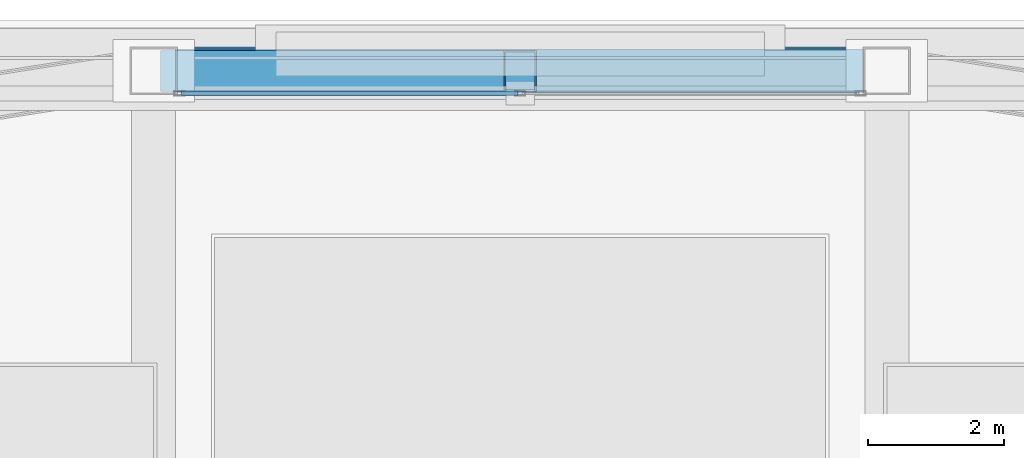
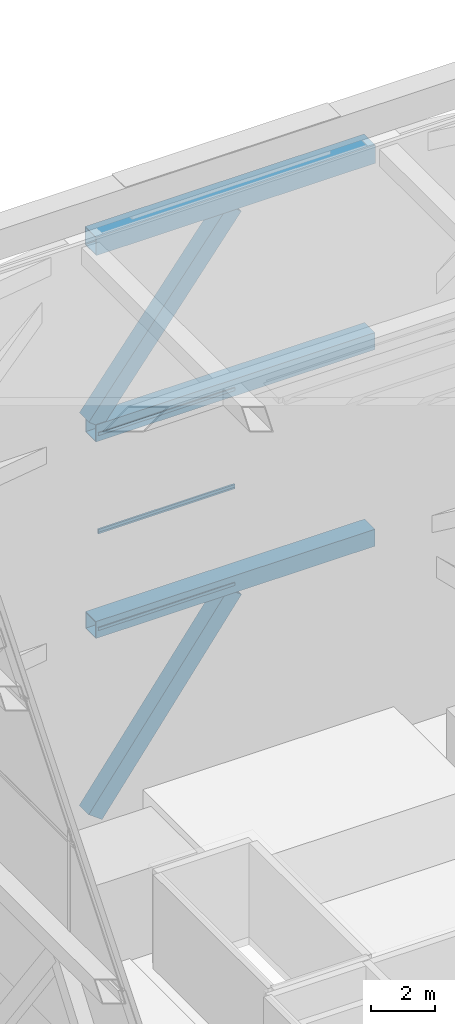
# One storey, part 18 of 28: 6 members, 3 beams, 2 elements without a shape of their own.
"""IFC4 building model written with IfcOpenShell, lengths in metres."""

import ifcopenshell
import ifcopenshell.guid

model = None  # the IFC model being written
_history = None  # IfcOwnerHistory: only IFC2X3 demands one
_inside = {}  # id of a spatial element -> (the spatial element, [elements in it])
_under = {}  # id of a project, library or spatial element -> (it, [spatial elements below it])
_declared = {}  # id of a project -> (the project, [libraries it declares])
_typed = {}  # id of a type object -> (the type object, [elements of that type])
_made_of = {}  # id of a material, layer set ... -> (it, [elements and type objects made of it])


def new_model(schema):
    """Start an empty IFC model of exactly this schema.

    Asked for "IFC4X3", IfcOpenShell would pick the latest addendum, in which some entities
    have other attributes; the version numbers below select the first issue.
    IFC2X3 requires an IfcOwnerHistory on every rooted entity: one is made here for all.
    """
    global model, _history
    if schema == "IFC4X3":
        model = ifcopenshell.file(schema_version=(4, 3, 0, 0))
    else:
        model = ifcopenshell.file(schema=schema)
    _inside.clear()
    _under.clear()
    _declared.clear()
    _typed.clear()
    _made_of.clear()
    _history = None
    if model.schema == "IFC2X3":
        org = make("IfcOrganization", Name="unknown")
        user = make(
            "IfcPersonAndOrganization",
            ThePerson=make("IfcPerson", FamilyName="unknown"),
            TheOrganization=org,
        )
        app = make(
            "IfcApplication",
            ApplicationDeveloper=org,
            Version="unknown",
            ApplicationFullName="unknown",
            ApplicationIdentifier="unknown",
        )
        _history = make(
            "IfcOwnerHistory",
            OwningUser=user,
            OwningApplication=app,
            ChangeAction="ADDED",
            CreationDate=0,
        )
    return model


def make(cls, **values):
    """One entity of the class cls with the attributes given. An attribute that is None is left unset."""
    return model.create_entity(
        cls, **{name: value for name, value in values.items() if value is not None}
    )


def rooted(cls, **values):
    """An entity with a GlobalId (a new one), such as an element, a storey or a relation."""
    return make(cls, GlobalId=ifcopenshell.guid.new(), OwnerHistory=_history, **values)


def si_unit(unit_type, name, prefix=None):
    """IfcSIUnit, for example si_unit("LENGTHUNIT", "METRE", prefix="MILLI")."""
    return make("IfcSIUnit", UnitType=unit_type, Prefix=prefix, Name=name)


def assignment(units):
    """IfcUnitAssignment: the units of a project."""
    return None if units is None else make("IfcUnitAssignment", Units=units)


def point(xyz):
    """IfcCartesianPoint."""
    return None if xyz is None else make("IfcCartesianPoint", Coordinates=xyz)


def direction(xyz):
    """IfcDirection."""
    return None if xyz is None else make("IfcDirection", DirectionRatios=xyz)


def frame(location, z_axis=None, x_axis=None):
    """IfcAxis2Placement3D, a coordinate frame: its origin and axes. An axis left out is left unset."""
    return make(
        "IfcAxis2Placement3D",
        Location=point(location),
        Axis=direction(z_axis),
        RefDirection=direction(x_axis),
    )


def frame_2d(location, x_axis=None):
    """IfcAxis2Placement2D, a coordinate frame in the plane: its origin and x axis."""
    return make(
        "IfcAxis2Placement2D", Location=point(location), RefDirection=direction(x_axis)
    )


def origin():
    """The frame at (0, 0, 0) with its axes left unset."""
    return frame((0.0, 0.0, 0.0))


def origin_2d():
    """The frame at (0, 0) in the plane with its x axis left unset."""
    return frame_2d((0.0, 0.0))


def place(relative_to, where):
    """IfcLocalPlacement: puts the frame where relative to a parent placement (None: the world)."""
    return make(
        "IfcLocalPlacement", PlacementRelTo=relative_to, RelativePlacement=where
    )


def context(
    kind, dimensions, precision=None, world=None, true_north=None, identifier=None
):
    """IfcGeometricRepresentationContext, for example the 3D "Model" context."""
    return make(
        "IfcGeometricRepresentationContext",
        ContextIdentifier=identifier,
        ContextType=kind,
        CoordinateSpaceDimension=dimensions,
        Precision=precision,
        WorldCoordinateSystem=world,
        TrueNorth=true_north,
    )


def subcontext(parent, identifier, kind, view, scale=None):
    """IfcGeometricRepresentationSubContext, for example "Body" below "Model"."""
    return make(
        "IfcGeometricRepresentationSubContext",
        ContextIdentifier=identifier,
        ContextType=kind,
        ParentContext=parent,
        TargetScale=scale,
        TargetView=view,
    )


def project(units=None, contexts=None):
    """IfcProject with its units and contexts."""
    return rooted(
        "IfcProject",
        Name="project",
        RepresentationContexts=contexts,
        UnitsInContext=assignment(units),
    )


def spatial(cls, under=None, at=None, **own):
    """A site, building, storey or space (cls), placed at a placement, below another one or the project."""
    s = rooted(cls, ObjectPlacement=at, **own)
    if under is not None:
        _under.setdefault(under.id(), (under, []))[1].append(s)
    return s


def profile(cls, at=None, kind="AREA", **sizes):
    """A parametric profile (cls). Its sizes go by their IFC names, for example OverallWidth=200.0."""
    return make(cls, ProfileType=kind, Position=at, **sizes)


def hollow_rectangle(**sizes):
    """IfcRectangleHollowProfileDef."""
    return profile("IfcRectangleHollowProfileDef", **sizes)


def extrude(swept, where, along, depth):
    """IfcExtrudedAreaSolid: the profile swept, set in the frame where, extruded along a direction by depth."""
    return make(
        "IfcExtrudedAreaSolid",
        SweptArea=swept,
        Position=where,
        ExtrudedDirection=direction(along),
        Depth=depth,
    )


def shape(context_of_items, identifier, shape_type, items):
    """IfcShapeRepresentation: the items that make up one representation, for example the "Body"."""
    return make(
        "IfcShapeRepresentation",
        ContextOfItems=context_of_items,
        RepresentationIdentifier=identifier,
        RepresentationType=shape_type,
        Items=items,
    )


def material(Name=None, Category=None):
    """IfcMaterial."""
    return make("IfcMaterial", Name=Name, Category=Category)


def material_profile(
    of_material, cross_section, Name=None, Category=None, Priority=None
):
    """IfcMaterialProfile: a cross section and its material."""
    return make(
        "IfcMaterialProfile",
        Name=Name,
        Material=of_material,
        Profile=cross_section,
        Priority=Priority,
        Category=Category,
    )


def profile_set(profiles, Name=None, composite=None):
    """IfcMaterialProfileSet."""
    return make(
        "IfcMaterialProfileSet",
        Name=Name,
        MaterialProfiles=profiles,
        CompositeProfile=composite,
    )


def made_of(thing, what):
    """Note that an element or type object is made of a material, layer set ...; save() writes the relation."""
    if what is not None:
        _made_of.setdefault(what.id(), (what, []))[1].append(thing)
    return thing


def type_object(cls, material=None, **own):
    """A type object (cls), such as IfcWallType, which elements share."""
    return made_of(rooted(cls, **own), material)


def element(
    cls,
    number,
    at=None,
    inside=None,
    cuts=None,
    type_object=None,
    material=None,
    context=None,
    identifier="Body",
    shape_type=None,
    held_by="IfcProductDefinitionShape",
    body=None,
    shapes=None,
    **own,
):
    """One element of the class cls, such as IfcWall. Its Tag is "e" and its number.

    at: its placement. inside: the storey or other place that contains it. cuts: it is an
    opening in that element (IfcRelVoidsElement). A single representation is given by context,
    identifier, shape_type and body (its items); several are given by shapes. held_by: the class
    of the entity that holds the representations. save() writes the other relations.
    """
    e = rooted(cls, Tag="e%d" % number, ObjectPlacement=at, **own)
    if body is not None:
        shapes = [shape(context, identifier, shape_type, body)]
    if shapes is not None:
        e.Representation = make(held_by, Representations=shapes)
    if inside is not None:
        _inside.setdefault(inside.id(), (inside, []))[1].append(e)
    if cuts is not None:
        rooted(
            "IfcRelVoidsElement", RelatingBuildingElement=cuts, RelatedOpeningElement=e
        )
    if type_object is not None:
        _typed.setdefault(type_object.id(), (type_object, []))[1].append(e)
    return made_of(e, material)


def aggregate(whole, parts):
    """IfcRelAggregates: a whole, such as a stair, and the parts it consists of."""
    return rooted("IfcRelAggregates", RelatingObject=whole, RelatedObjects=parts)


def save(model, path):
    """Write the relations noted so far, then the file.

    IfcRelAggregates (storeys below a building ...), IfcRelContainedInSpatialStructure (elements
    in a storey), IfcRelDefinesByType, IfcRelAssociatesMaterial and IfcRelDeclares: one each for
    every whole, place, type object, material and project.
    """
    for whole, parts in _under.values():
        aggregate(whole, parts)
    for where, things in _inside.values():
        rooted(
            "IfcRelContainedInSpatialStructure",
            RelatedElements=things,
            RelatingStructure=where,
        )
    for kind, things in _typed.values():
        rooted("IfcRelDefinesByType", RelatedObjects=things, RelatingType=kind)
    for what, things in _made_of.values():
        rooted("IfcRelAssociatesMaterial", RelatedObjects=things, RelatingMaterial=what)
    for by, libraries in _declared.values():
        rooted("IfcRelDeclares", RelatingContext=by, RelatedDefinitions=libraries)
    model.write(path)


model = new_model("IFC4")

# Units and contexts
model_context = context("Model", 3, precision=1e-05, world=origin(), true_north=direction((0.0, 1.0)))
body_context = subcontext(model_context, "Body", "Model", "MODEL_VIEW")
ifc_project = project(units=[si_unit("LENGTHUNIT", "METRE"), si_unit("AREAUNIT", "SQUARE_METRE"), si_unit("VOLUMEUNIT", "CUBIC_METRE"), si_unit("PLANEANGLEUNIT", "RADIAN"), si_unit("MASSUNIT", "GRAM", prefix="KILO")], contexts=[model_context])

# Site, building, storey
site_placement = place(None, origin())
site = spatial("IfcSite", under=ifc_project, at=site_placement, CompositionType="ELEMENT")
building_placement = place(site_placement, origin())
building = spatial("IfcBuilding", under=site, at=building_placement, Name="Tashvorn Skyway Center", CompositionType="ELEMENT")
storey_placement = place(building_placement, frame((0.0, 0.0, 277.60009765625)))
storey = spatial("IfcBuildingStorey", under=building, at=storey_placement, Name="Roof Level", CompositionType="ELEMENT", Elevation=277.60009765625)

# Beams
ifc_material_1 = material(Name="Steel ASTM A572 Grade 50", Category="steel")
ifc_material_profile_1 = material_profile(ifc_material_1, hollow_rectangle(XDim=0.64990234375, YDim=0.64990234375, WallThickness=0.02490234375, at=origin_2d()), Name="BOX650x650x25")
ifc_profile_set_1 = profile_set([ifc_material_profile_1], Name="Steel ASTM A572 Grade 50")
beam_type_1 = type_object("IfcBeamType", Name="BM-BEAM-BOX650x650x25", PredefinedType="BEAM", material=ifc_profile_set_1)
for number, where, z_axis, x_axis, name in (
    (1, (47.054931640625, 46.550048828125, 7.52978515625), (-1.0, 0.0, 0.0), (0.0, -1.0, 0.0), "CROWN FRAME Tower 1 Lower-Tier Ring Beam 08"),
    (2, (47.054931640625, 46.550048828125, 15.059814453125), (-1.0, 0.0, 0.0), (0.0, -1.0, 0.0), "CROWN FRAME Tower 1 Upper-Tier Ring Beam 08"),
):
    element("IfcBeam", number, at=place(storey_placement, frame(where, z_axis=z_axis, x_axis=x_axis)), inside=storey, type_object=beam_type_1, Name=name, PredefinedType="BEAM", context=body_context, shape_type="SweptSolid", body=[
        extrude(hollow_rectangle(XDim=0.64990234375, YDim=0.64990234375, WallThickness=0.02490234375, at=origin_2d()), origin(), (0.0, 0.0, 1.0), 10.10986328125),
    ])
ifc_material_profile_2 = material_profile(ifc_material_1, hollow_rectangle(XDim=0.699951171875, YDim=0.699951171875, WallThickness=0.028076171875, at=origin_2d()), Name="BOX700x700x28")
ifc_profile_set_2 = profile_set([ifc_material_profile_2], Name="Steel ASTM A572 Grade 50")
beam_type_2 = type_object("IfcBeamType", Name="BM-BEAM-BOX700x700x28", PredefinedType="BEAM", material=ifc_profile_set_2)
beam_placement = place(storey_placement, frame((47.054931640625, 46.550048828125, 22.239990234375), z_axis=(-1.0, 0.0, 0.0), x_axis=(0.0, -1.0, 0.0)))
element("IfcBeam", 3, at=beam_placement, inside=storey, type_object=beam_type_2, Name="CROWN FRAME Tower 1 Top Cap Ring Beam 08", PredefinedType="BEAM", context=body_context, shape_type="SweptSolid", body=[
    extrude(hollow_rectangle(XDim=0.699951171875, YDim=0.699951171875, WallThickness=0.028076171875, at=origin_2d()), origin(), (0.0, 0.0, 1.0), 10.10986328125),
])

# Curtain wall, members
ifc_material_2 = material(Name="Thermally broken bronze-anodized aluminium 6063-T6", Category="aluminium")
curtain_wall_type = type_object("IfcCurtainWallType", Name="CW-CW-SKY", PredefinedType="NOTDEFINED", material=ifc_material_2)
curtain_wall_1_placement = place(storey_placement, origin())
curtain_wall_1 = element("IfcCurtainWall", 4, at=curtain_wall_1_placement, inside=storey, type_object=curtain_wall_type, Name="CROWN Lantern Fritted Curtain Wall T1 N-3", PredefinedType="NOTDEFINED")
ifc_material_profile_3 = material_profile(ifc_material_2, hollow_rectangle(XDim=0.06494140625, YDim=0.10498046875, WallThickness=0.00390625, at=origin_2d()), Name="ALU-TRAN-65x105")
ifc_profile_set_3 = profile_set([ifc_material_profile_3], Name="Thermally broken bronze-anodized aluminium 6063-T6")
member_type_1 = type_object("IfcMemberType", Name="CWT-CW-SKY", PredefinedType="USERDEFINED", material=ifc_profile_set_3)
member_1_placement = place(storey_placement, frame((37.014892578125, 46.219970703125, 7.5625), z_axis=(1.0, 0.0, 0.0), x_axis=(0.0, 1.0, 0.0)))
member_1 = element("IfcMember", 5, at=member_1_placement, type_object=member_type_1, Name="CW-SKY transom 1.1", ObjectType="TRANSOM", PredefinedType="USERDEFINED", context=body_context, shape_type="SweptSolid", body=[
    extrude(hollow_rectangle(XDim=0.06494140625, YDim=0.10498046875, WallThickness=0.00390625, at=origin_2d()), origin(), (0.0, 0.0, 1.0), 4.95263671875),
])
member_2_placement = place(storey_placement, frame((37.014892578125, 46.219970703125, 11.262451171875), z_axis=(1.0, 0.0, 0.0), x_axis=(0.0, 1.0, 0.0)))
member_2 = element("IfcMember", 6, at=member_2_placement, type_object=member_type_1, Name="CW-SKY transom 1.2", ObjectType="TRANSOM", PredefinedType="USERDEFINED", context=body_context, shape_type="SweptSolid", body=[
    extrude(hollow_rectangle(XDim=0.06494140625, YDim=0.10498046875, WallThickness=0.00390625, at=origin_2d()), origin(), (0.0, 0.0, 1.0), 4.95263671875),
])
aggregate(curtain_wall_1, [member_1, member_2])

curtain_wall_2_placement = place(storey_placement, origin())
curtain_wall_2 = element("IfcCurtainWall", 7, at=curtain_wall_2_placement, inside=storey, type_object=curtain_wall_type, Name="CROWN Lantern Fritted Curtain Wall T1 N-4", PredefinedType="NOTDEFINED")
member_3_placement = place(storey_placement, frame((37.014892578125, 46.219970703125, 11.327392578125), z_axis=(1.0, 0.0, 0.0), x_axis=(0.0, 1.0, 0.0)))
member_3 = element("IfcMember", 8, at=member_3_placement, type_object=member_type_1, Name="CW-SKY transom 1.1", ObjectType="TRANSOM", PredefinedType="USERDEFINED", context=body_context, shape_type="SweptSolid", body=[
    extrude(hollow_rectangle(XDim=0.06494140625, YDim=0.10498046875, WallThickness=0.00390625, at=origin_2d()), origin(), (0.0, 0.0, 1.0), 4.95263671875),
])
member_4_placement = place(storey_placement, frame((37.014892578125, 46.219970703125, 15.02734375), z_axis=(1.0, 0.0, 0.0), x_axis=(0.0, 1.0, 0.0)))
member_4 = element("IfcMember", 9, at=member_4_placement, type_object=member_type_1, Name="CW-SKY transom 1.2", ObjectType="TRANSOM", PredefinedType="USERDEFINED", context=body_context, shape_type="SweptSolid", body=[
    extrude(hollow_rectangle(XDim=0.06494140625, YDim=0.10498046875, WallThickness=0.00390625, at=origin_2d()), origin(), (0.0, 0.0, 1.0), 4.95263671875),
])
aggregate(curtain_wall_2, [member_3, member_4])

# Members
ifc_material_profile_4 = material_profile(ifc_material_1, hollow_rectangle(XDim=0.60009765625, YDim=0.60009765625, WallThickness=0.02490234375, at=origin_2d()), Name="BOX600x600x25")
ifc_profile_set_4 = profile_set([ifc_material_profile_4], Name="Steel ASTM A572 Grade 50")
member_type_2 = type_object("IfcMemberType", Name="MEM-CF-BRC-600", PredefinedType="BRACE", material=ifc_profile_set_4)
member_5_placement = place(storey_placement, frame((36.945068359375, 46.550048828125, 0.349853515625), z_axis=(0.593207833758, 0.0, 0.805049356231), x_axis=(0.0, 1.0, 0.0)))
element("IfcMember", 10, at=member_5_placement, inside=storey, type_object=member_type_2, Name="CROWN FRAME Tower 1 Tier-1 Chevron Brace 08B", PredefinedType="BRACE", context=body_context, shape_type="SweptSolid", body=[
    extrude(hollow_rectangle(XDim=0.60009765625, YDim=0.60009765625, WallThickness=0.02490234375, at=origin_2d()), origin(), (0.0, 0.0, 1.0), 8.521240234375),
])
member_6_placement = place(storey_placement, frame((36.945068359375, 46.550048828125, 15.3798828125), z_axis=(0.612716787586, 0.0, 0.790302561182), x_axis=(0.0, 1.0, 0.0)))
element("IfcMember", 11, at=member_6_placement, inside=storey, type_object=member_type_2, Name="CROWN FRAME Tower 1 Tier-3 Chevron Brace 08B", PredefinedType="BRACE", context=body_context, shape_type="SweptSolid", body=[
    extrude(hollow_rectangle(XDim=0.60009765625, YDim=0.60009765625, WallThickness=0.02490234375, at=origin_2d()), origin(), (0.0, 0.0, 1.0), 8.25),
])

save(model, "model.ifc")
